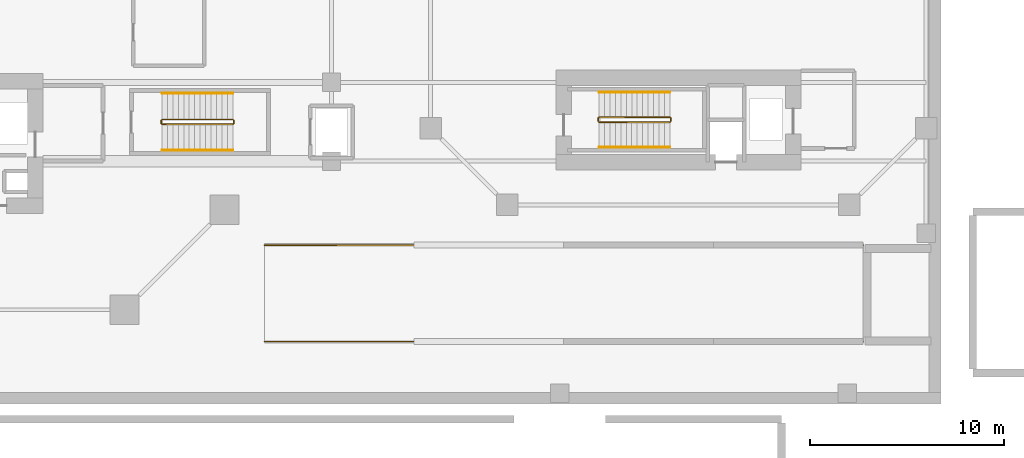
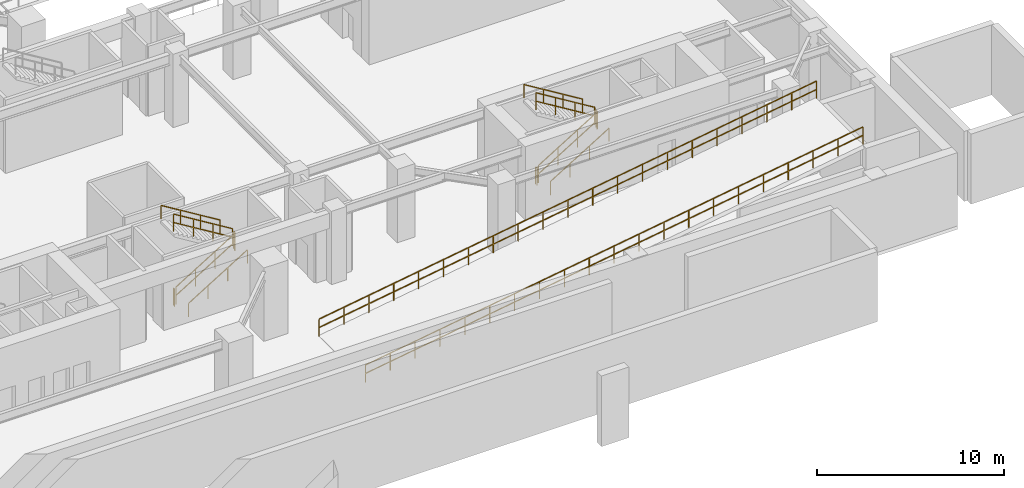
# One storey, part 8 of 10: 14 railings.
"""IFC4 building model written with IfcOpenShell, lengths in metres."""

import ifcopenshell
import ifcopenshell.guid

model = None  # the IFC model being written
_history = None  # IfcOwnerHistory: only IFC2X3 demands one
_inside = {}  # id of a spatial element -> (the spatial element, [elements in it])
_under = {}  # id of a project, library or spatial element -> (it, [spatial elements below it])
_declared = {}  # id of a project -> (the project, [libraries it declares])
_typed = {}  # id of a type object -> (the type object, [elements of that type])
_made_of = {}  # id of a material, layer set ... -> (it, [elements and type objects made of it])


def new_model(schema):
    """Start an empty IFC model of exactly this schema.

    Asked for "IFC4X3", IfcOpenShell would pick the latest addendum, in which some entities
    have other attributes; the version numbers below select the first issue.
    IFC2X3 requires an IfcOwnerHistory on every rooted entity: one is made here for all.
    """
    global model, _history
    if schema == "IFC4X3":
        model = ifcopenshell.file(schema_version=(4, 3, 0, 0))
    else:
        model = ifcopenshell.file(schema=schema)
    _inside.clear()
    _under.clear()
    _declared.clear()
    _typed.clear()
    _made_of.clear()
    _history = None
    if model.schema == "IFC2X3":
        org = make("IfcOrganization", Name="unknown")
        user = make(
            "IfcPersonAndOrganization",
            ThePerson=make("IfcPerson", FamilyName="unknown"),
            TheOrganization=org,
        )
        app = make(
            "IfcApplication",
            ApplicationDeveloper=org,
            Version="unknown",
            ApplicationFullName="unknown",
            ApplicationIdentifier="unknown",
        )
        _history = make(
            "IfcOwnerHistory",
            OwningUser=user,
            OwningApplication=app,
            ChangeAction="ADDED",
            CreationDate=0,
        )
    return model


def make(cls, **values):
    """One entity of the class cls with the attributes given. An attribute that is None is left unset."""
    return model.create_entity(
        cls, **{name: value for name, value in values.items() if value is not None}
    )


def rooted(cls, **values):
    """An entity with a GlobalId (a new one), such as an element, a storey or a relation."""
    return make(cls, GlobalId=ifcopenshell.guid.new(), OwnerHistory=_history, **values)


def si_unit(unit_type, name, prefix=None):
    """IfcSIUnit, for example si_unit("LENGTHUNIT", "METRE", prefix="MILLI")."""
    return make("IfcSIUnit", UnitType=unit_type, Prefix=prefix, Name=name)


def assignment(units):
    """IfcUnitAssignment: the units of a project."""
    return None if units is None else make("IfcUnitAssignment", Units=units)


def point(xyz):
    """IfcCartesianPoint."""
    return None if xyz is None else make("IfcCartesianPoint", Coordinates=xyz)


def direction(xyz):
    """IfcDirection."""
    return None if xyz is None else make("IfcDirection", DirectionRatios=xyz)


def frame(location, z_axis=None, x_axis=None):
    """IfcAxis2Placement3D, a coordinate frame: its origin and axes. An axis left out is left unset."""
    return make(
        "IfcAxis2Placement3D",
        Location=point(location),
        Axis=direction(z_axis),
        RefDirection=direction(x_axis),
    )


def frame_2d(location, x_axis=None):
    """IfcAxis2Placement2D, a coordinate frame in the plane: its origin and x axis."""
    return make(
        "IfcAxis2Placement2D", Location=point(location), RefDirection=direction(x_axis)
    )


def origin():
    """The frame at (0, 0, 0) with its axes left unset."""
    return frame((0.0, 0.0, 0.0))


def origin_2d():
    """The frame at (0, 0) in the plane with its x axis left unset."""
    return frame_2d((0.0, 0.0))


def place(relative_to, where):
    """IfcLocalPlacement: puts the frame where relative to a parent placement (None: the world)."""
    return make(
        "IfcLocalPlacement", PlacementRelTo=relative_to, RelativePlacement=where
    )


def context(
    kind, dimensions, precision=None, world=None, true_north=None, identifier=None
):
    """IfcGeometricRepresentationContext, for example the 3D "Model" context."""
    return make(
        "IfcGeometricRepresentationContext",
        ContextIdentifier=identifier,
        ContextType=kind,
        CoordinateSpaceDimension=dimensions,
        Precision=precision,
        WorldCoordinateSystem=world,
        TrueNorth=true_north,
    )


def subcontext(parent, identifier, kind, view, scale=None):
    """IfcGeometricRepresentationSubContext, for example "Body" below "Model"."""
    return make(
        "IfcGeometricRepresentationSubContext",
        ContextIdentifier=identifier,
        ContextType=kind,
        ParentContext=parent,
        TargetScale=scale,
        TargetView=view,
    )


def project(units=None, contexts=None):
    """IfcProject with its units and contexts."""
    return rooted(
        "IfcProject",
        Name="project",
        RepresentationContexts=contexts,
        UnitsInContext=assignment(units),
    )


def spatial(cls, under=None, at=None, **own):
    """A site, building, storey or space (cls), placed at a placement, below another one or the project."""
    s = rooted(cls, ObjectPlacement=at, **own)
    if under is not None:
        _under.setdefault(under.id(), (under, []))[1].append(s)
    return s


def profile(cls, at=None, kind="AREA", **sizes):
    """A parametric profile (cls). Its sizes go by their IFC names, for example OverallWidth=200.0."""
    return make(cls, ProfileType=kind, Position=at, **sizes)


def rectangle(**sizes):
    """IfcRectangleProfileDef."""
    return profile("IfcRectangleProfileDef", **sizes)


def extrude(swept, where, along, depth):
    """IfcExtrudedAreaSolid: the profile swept, set in the frame where, extruded along a direction by depth."""
    return make(
        "IfcExtrudedAreaSolid",
        SweptArea=swept,
        Position=where,
        ExtrudedDirection=direction(along),
        Depth=depth,
    )


def shape(context_of_items, identifier, shape_type, items):
    """IfcShapeRepresentation: the items that make up one representation, for example the "Body"."""
    return make(
        "IfcShapeRepresentation",
        ContextOfItems=context_of_items,
        RepresentationIdentifier=identifier,
        RepresentationType=shape_type,
        Items=items,
    )


def material(Name=None, Category=None):
    """IfcMaterial."""
    return make("IfcMaterial", Name=Name, Category=Category)


def made_of(thing, what):
    """Note that an element or type object is made of a material, layer set ...; save() writes the relation."""
    if what is not None:
        _made_of.setdefault(what.id(), (what, []))[1].append(thing)
    return thing


def type_object(cls, material=None, **own):
    """A type object (cls), such as IfcWallType, which elements share."""
    return made_of(rooted(cls, **own), material)


def element(
    cls,
    number,
    at=None,
    inside=None,
    cuts=None,
    type_object=None,
    material=None,
    context=None,
    identifier="Body",
    shape_type=None,
    held_by="IfcProductDefinitionShape",
    body=None,
    shapes=None,
    **own,
):
    """One element of the class cls, such as IfcWall. Its Tag is "e" and its number.

    at: its placement. inside: the storey or other place that contains it. cuts: it is an
    opening in that element (IfcRelVoidsElement). A single representation is given by context,
    identifier, shape_type and body (its items); several are given by shapes. held_by: the class
    of the entity that holds the representations. save() writes the other relations.
    """
    e = rooted(cls, Tag="e%d" % number, ObjectPlacement=at, **own)
    if body is not None:
        shapes = [shape(context, identifier, shape_type, body)]
    if shapes is not None:
        e.Representation = make(held_by, Representations=shapes)
    if inside is not None:
        _inside.setdefault(inside.id(), (inside, []))[1].append(e)
    if cuts is not None:
        rooted(
            "IfcRelVoidsElement", RelatingBuildingElement=cuts, RelatedOpeningElement=e
        )
    if type_object is not None:
        _typed.setdefault(type_object.id(), (type_object, []))[1].append(e)
    return made_of(e, material)


def aggregate(whole, parts):
    """IfcRelAggregates: a whole, such as a stair, and the parts it consists of."""
    return rooted("IfcRelAggregates", RelatingObject=whole, RelatedObjects=parts)


def save(model, path):
    """Write the relations noted so far, then the file.

    IfcRelAggregates (storeys below a building ...), IfcRelContainedInSpatialStructure (elements
    in a storey), IfcRelDefinesByType, IfcRelAssociatesMaterial and IfcRelDeclares: one each for
    every whole, place, type object, material and project.
    """
    for whole, parts in _under.values():
        aggregate(whole, parts)
    for where, things in _inside.values():
        rooted(
            "IfcRelContainedInSpatialStructure",
            RelatedElements=things,
            RelatingStructure=where,
        )
    for kind, things in _typed.values():
        rooted("IfcRelDefinesByType", RelatedObjects=things, RelatingType=kind)
    for what, things in _made_of.values():
        rooted("IfcRelAssociatesMaterial", RelatedObjects=things, RelatingMaterial=what)
    for by, libraries in _declared.values():
        rooted("IfcRelDeclares", RelatingContext=by, RelatedDefinitions=libraries)
    model.write(path)


model = new_model("IFC4")

# Units and contexts
model_context = context("Model", 3, precision=1e-05, world=origin(), true_north=direction((0.0, 1.0)))
body_context = subcontext(model_context, "Body", "Model", "MODEL_VIEW")
ifc_project = project(units=[si_unit("LENGTHUNIT", "METRE"), si_unit("AREAUNIT", "SQUARE_METRE"), si_unit("VOLUMEUNIT", "CUBIC_METRE"), si_unit("PLANEANGLEUNIT", "RADIAN"), si_unit("MASSUNIT", "GRAM", prefix="KILO"), si_unit("THERMODYNAMICTEMPERATUREUNIT", "KELVIN"), si_unit("POWERUNIT", "WATT")], contexts=[model_context])

# Site, building, storey
site_placement = place(None, origin())
site = spatial("IfcSite", under=ifc_project, at=site_placement, CompositionType="ELEMENT")
building_placement = place(site_placement, origin())
building = spatial("IfcBuilding", under=site, at=building_placement, Name="Qiaomeng Ring Towers", CompositionType="ELEMENT")
storey_placement = place(building_placement, frame((0.0, 0.0, -4.800048828125)))
storey = spatial("IfcBuildingStorey", under=building, at=storey_placement, Name="B1", CompositionType="ELEMENT", Elevation=-4.800048828125)

# Railings
ifc_material_1 = material(Name="Galvanised steel", Category="steel")
railing_type_1 = type_object("IfcRailingType", Name="ARC-RL-GUARD", PredefinedType="GUARDRAIL", material=ifc_material_1)
railing_1_placement = place(storey_placement, frame((56.419921875, 14.510009765625, 0.17138671875)))
element("IfcRailing", 1, at=railing_1_placement, inside=storey, type_object=railing_type_1, Name="B1 ST6 stair guard 1", PredefinedType="GUARDRAIL", context=body_context, shape_type="SweptSolid", body=[
    extrude(rectangle(XDim=0.048095703125, YDim=0.048095703125, at=origin_2d()), frame((0.0, 0.0, 1.1259765625), z_axis=(0.852840387347, 0.0, 0.522171689878), x_axis=(0.0, 1.0, 0.0)), (0.0, 0.0, 1.0), 4.268310546875),
    extrude(rectangle(XDim=0.048095703125, YDim=0.048095703125, at=origin_2d()), frame((0.0, 0.0, 0.574951171875), z_axis=(0.852840387347, 0.0, 0.522171689878), x_axis=(0.0, 1.0, 0.0)), (0.0, 0.0, 1.0), 4.268310546875),
    extrude(rectangle(XDim=0.0419921875, YDim=0.0419921875, at=origin_2d()), origin(), (0.0, 0.0, 1.0), 1.101806640625),
    extrude(rectangle(XDim=0.0419921875, YDim=0.0419921875, at=origin_2d()), frame((1.21337890625, 0.0, 0.742919921875)), (0.0, 0.0, 1.0), 1.101806640625),
    extrude(rectangle(XDim=0.0419921875, YDim=0.0419921875, at=origin_2d()), frame((2.4267578125, 0.0, 1.48583984375)), (0.0, 0.0, 1.0), 1.101806640625),
    extrude(rectangle(XDim=0.0419921875, YDim=0.0419921875, at=origin_2d()), frame((3.64013671875, 0.0, 2.228759765625)), (0.0, 0.0, 1.0), 1.101806640625),
])
railing_2_placement = place(storey_placement, frame((60.110107421875, 14.56005859375, 2.400146484375)))
element("IfcRailing", 2, at=railing_2_placement, inside=storey, type_object=railing_type_1, Name="B1 ST6 stair guard 2", PredefinedType="GUARDRAIL", context=body_context, shape_type="SweptSolid", body=[
    extrude(rectangle(XDim=0.048095703125, YDim=0.048095703125, at=origin_2d()), frame((0.0, 0.0, 1.1259765625), z_axis=(0.0, 1.0, 0.0), x_axis=(-1.0, 0.0, 0.0)), (0.0, 0.0, 1.0), 0.139892578125),
    extrude(rectangle(XDim=0.048095703125, YDim=0.048095703125, at=origin_2d()), frame((0.0, 0.0, 0.574951171875), z_axis=(0.0, 1.0, 0.0), x_axis=(-1.0, 0.0, 0.0)), (0.0, 0.0, 1.0), 0.139892578125),
    extrude(rectangle(XDim=0.0419921875, YDim=0.0419921875, at=origin_2d()), origin(), (0.0, 0.0, 1.0), 1.101806640625),
    extrude(rectangle(XDim=0.0419921875, YDim=0.0419921875, at=origin_2d()), frame((0.0, 0.139892578125, 0.0)), (0.0, 0.0, 1.0), 1.101806640625),
])
railing_3_placement = place(storey_placement, frame((60.06005859375, 14.75, 2.571533203125)))
element("IfcRailing", 3, at=railing_3_placement, inside=storey, type_object=railing_type_1, Name="B1 ST6 stair guard 3", PredefinedType="GUARDRAIL", context=body_context, shape_type="SweptSolid", body=[
    extrude(rectangle(XDim=0.048095703125, YDim=0.048095703125, at=origin_2d()), frame((0.0, 0.0, 1.1259765625), z_axis=(-0.852865859571, 0.0, 0.52213008492), x_axis=(0.0, -1.0, 0.0)), (0.0, 0.0, 1.0), 4.26806640625),
    extrude(rectangle(XDim=0.048095703125, YDim=0.048095703125, at=origin_2d()), frame((0.0, 0.0, 0.574951171875), z_axis=(-0.852865859571, 0.0, 0.52213008492), x_axis=(0.0, -1.0, 0.0)), (0.0, 0.0, 1.0), 4.26806640625),
    extrude(rectangle(XDim=0.0419921875, YDim=0.0419921875, at=origin_2d()), origin(), (0.0, 0.0, 1.0), 1.101806640625),
    extrude(rectangle(XDim=0.0419921875, YDim=0.0419921875, at=origin_2d()), frame((-1.21337890625, 0.0, 0.742919921875)), (0.0, 0.0, 1.0), 1.101806640625),
    extrude(rectangle(XDim=0.0419921875, YDim=0.0419921875, at=origin_2d()), frame((-2.4267578125, 0.0, 1.485595703125)), (0.0, 0.0, 1.0), 1.101806640625),
    extrude(rectangle(XDim=0.0419921875, YDim=0.0419921875, at=origin_2d()), frame((-3.64013671875, 0.0, 2.228515625)), (0.0, 0.0, 1.0), 1.101806640625),
])
railing_4_placement = place(storey_placement, frame((56.3701171875, 14.56005859375, 0.0)))
element("IfcRailing", 4, at=railing_4_placement, inside=storey, type_object=railing_type_1, Name="B1 ST6 stair guard 4", PredefinedType="GUARDRAIL", context=body_context, shape_type="SweptSolid", body=[
    extrude(rectangle(XDim=0.048095703125, YDim=0.048095703125, at=origin_2d()), frame((0.0, 0.0, 1.1259765625), z_axis=(0.0, 1.0, 0.0), x_axis=(-1.0, 0.0, 0.0)), (0.0, 0.0, 1.0), 0.139892578125),
    extrude(rectangle(XDim=0.048095703125, YDim=0.048095703125, at=origin_2d()), frame((0.0, 0.0, 0.574951171875), z_axis=(0.0, 1.0, 0.0), x_axis=(-1.0, 0.0, 0.0)), (0.0, 0.0, 1.0), 0.139892578125),
    extrude(rectangle(XDim=0.0419921875, YDim=0.0419921875, at=origin_2d()), origin(), (0.0, 0.0, 1.0), 1.101806640625),
    extrude(rectangle(XDim=0.0419921875, YDim=0.0419921875, at=origin_2d()), frame((0.0, 0.139892578125, 0.0)), (0.0, 0.0, 1.0), 1.101806640625),
])
railing_5_placement = place(storey_placement, frame((33.929931640625, 14.39990234375, 0.17138671875)))
element("IfcRailing", 5, at=railing_5_placement, inside=storey, type_object=railing_type_1, Name="B1 ST8 stair guard 1", PredefinedType="GUARDRAIL", context=body_context, shape_type="SweptSolid", body=[
    extrude(rectangle(XDim=0.048095703125, YDim=0.048095703125, at=origin_2d()), frame((0.0, 0.0, 1.1259765625), z_axis=(0.852840387347, 0.0, 0.522171689878), x_axis=(0.0, 1.0, 0.0)), (0.0, 0.0, 1.0), 4.268310546875),
    extrude(rectangle(XDim=0.048095703125, YDim=0.048095703125, at=origin_2d()), frame((0.0, 0.0, 0.574951171875), z_axis=(0.852840387347, 0.0, 0.522171689878), x_axis=(0.0, 1.0, 0.0)), (0.0, 0.0, 1.0), 4.268310546875),
    extrude(rectangle(XDim=0.0419921875, YDim=0.0419921875, at=origin_2d()), origin(), (0.0, 0.0, 1.0), 1.101806640625),
    extrude(rectangle(XDim=0.0419921875, YDim=0.0419921875, at=origin_2d()), frame((1.21337890625, 0.0, 0.742919921875)), (0.0, 0.0, 1.0), 1.101806640625),
    extrude(rectangle(XDim=0.0419921875, YDim=0.0419921875, at=origin_2d()), frame((2.4267578125, 0.0, 1.48583984375)), (0.0, 0.0, 1.0), 1.101806640625),
    extrude(rectangle(XDim=0.0419921875, YDim=0.0419921875, at=origin_2d()), frame((3.64013671875, 0.0, 2.228759765625)), (0.0, 0.0, 1.0), 1.101806640625),
])
railing_6_placement = place(storey_placement, frame((37.6201171875, 14.449951171875, 2.400146484375)))
element("IfcRailing", 6, at=railing_6_placement, inside=storey, type_object=railing_type_1, Name="B1 ST8 stair guard 2", PredefinedType="GUARDRAIL", context=body_context, shape_type="SweptSolid", body=[
    extrude(rectangle(XDim=0.048095703125, YDim=0.048095703125, at=origin_2d()), frame((0.0, 0.0, 1.1259765625), z_axis=(0.0, 1.0, 0.0), x_axis=(-1.0, 0.0, 0.0)), (0.0, 0.0, 1.0), 0.14013671875),
    extrude(rectangle(XDim=0.048095703125, YDim=0.048095703125, at=origin_2d()), frame((0.0, 0.0, 0.574951171875), z_axis=(0.0, 1.0, 0.0), x_axis=(-1.0, 0.0, 0.0)), (0.0, 0.0, 1.0), 0.14013671875),
    extrude(rectangle(XDim=0.0419921875, YDim=0.0419921875, at=origin_2d()), origin(), (0.0, 0.0, 1.0), 1.101806640625),
    extrude(rectangle(XDim=0.0419921875, YDim=0.0419921875, at=origin_2d()), frame((0.0, 0.14013671875, 0.0)), (0.0, 0.0, 1.0), 1.101806640625),
])
railing_7_placement = place(storey_placement, frame((37.570068359375, 14.639892578125, 2.571533203125)))
element("IfcRailing", 7, at=railing_7_placement, inside=storey, type_object=railing_type_1, Name="B1 ST8 stair guard 3", PredefinedType="GUARDRAIL", context=body_context, shape_type="SweptSolid", body=[
    extrude(rectangle(XDim=0.048095703125, YDim=0.048095703125, at=origin_2d()), frame((0.0, 0.0, 1.1259765625), z_axis=(-0.852865859571, 0.0, 0.52213008492), x_axis=(0.0, -1.0, 0.0)), (0.0, 0.0, 1.0), 4.26806640625),
    extrude(rectangle(XDim=0.048095703125, YDim=0.048095703125, at=origin_2d()), frame((0.0, 0.0, 0.574951171875), z_axis=(-0.852865859571, 0.0, 0.52213008492), x_axis=(0.0, -1.0, 0.0)), (0.0, 0.0, 1.0), 4.26806640625),
    extrude(rectangle(XDim=0.0419921875, YDim=0.0419921875, at=origin_2d()), origin(), (0.0, 0.0, 1.0), 1.101806640625),
    extrude(rectangle(XDim=0.0419921875, YDim=0.0419921875, at=origin_2d()), frame((-1.21337890625, 0.0, 0.742919921875)), (0.0, 0.0, 1.0), 1.101806640625),
    extrude(rectangle(XDim=0.0419921875, YDim=0.0419921875, at=origin_2d()), frame((-2.4267578125, 0.0, 1.485595703125)), (0.0, 0.0, 1.0), 1.101806640625),
    extrude(rectangle(XDim=0.0419921875, YDim=0.0419921875, at=origin_2d()), frame((-3.64013671875, 0.0, 2.228515625)), (0.0, 0.0, 1.0), 1.101806640625),
])
railing_8_placement = place(storey_placement, frame((33.8798828125, 14.449951171875, 0.0)))
element("IfcRailing", 8, at=railing_8_placement, inside=storey, type_object=railing_type_1, Name="B1 ST8 stair guard 4", PredefinedType="GUARDRAIL", context=body_context, shape_type="SweptSolid", body=[
    extrude(rectangle(XDim=0.048095703125, YDim=0.048095703125, at=origin_2d()), frame((0.0, 0.0, 1.1259765625), z_axis=(0.0, 1.0, 0.0), x_axis=(-1.0, 0.0, 0.0)), (0.0, 0.0, 1.0), 0.14013671875),
    extrude(rectangle(XDim=0.048095703125, YDim=0.048095703125, at=origin_2d()), frame((0.0, 0.0, 0.574951171875), z_axis=(0.0, 1.0, 0.0), x_axis=(-1.0, 0.0, 0.0)), (0.0, 0.0, 1.0), 0.14013671875),
    extrude(rectangle(XDim=0.0419921875, YDim=0.0419921875, at=origin_2d()), origin(), (0.0, 0.0, 1.0), 1.101806640625),
    extrude(rectangle(XDim=0.0419921875, YDim=0.0419921875, at=origin_2d()), frame((0.0, 0.14013671875, 0.0)), (0.0, 0.0, 1.0), 1.101806640625),
])
railing_9_placement = place(storey_placement, frame((39.199951171875, 3.219970703125, 0.0)))
element("IfcRailing", 9, at=railing_9_placement, inside=storey, type_object=railing_type_1, Name="B1 Vehicle Ramp R1 Sloped Flight Guard S", PredefinedType="GUARDRAIL", context=body_context, shape_type="SweptSolid", body=[
    extrude(rectangle(XDim=0.048095703125, YDim=0.048095703125, at=origin_2d()), frame((0.0, 0.0, 1.1259765625), z_axis=(0.988072918596, 0.0, 0.153986712212), x_axis=(0.0, 1.0, 0.0)), (0.0, 0.0, 1.0), 31.171875),
    extrude(rectangle(XDim=0.048095703125, YDim=0.048095703125, at=origin_2d()), frame((0.0, 0.0, 0.574951171875), z_axis=(0.988072918596, 0.0, 0.153986712212), x_axis=(0.0, 1.0, 0.0)), (0.0, 0.0, 1.0), 31.171875),
    extrude(rectangle(XDim=0.0419921875, YDim=0.0419921875, at=origin_2d()), origin(), (0.0, 0.0, 1.0), 1.101806640625),
    extrude(rectangle(XDim=0.0419921875, YDim=0.0419921875, at=origin_2d()), frame((1.5400390625, 0.0, 0.239990234375)), (0.0, 0.0, 1.0), 1.101806640625),
    extrude(rectangle(XDim=0.0419921875, YDim=0.0419921875, at=origin_2d()), frame((3.080078125, 0.0, 0.47998046875)), (0.0, 0.0, 1.0), 1.101806640625),
    extrude(rectangle(XDim=0.0419921875, YDim=0.0419921875, at=origin_2d()), frame((4.6201171875, 0.0, 0.719970703125)), (0.0, 0.0, 1.0), 1.101806640625),
    extrude(rectangle(XDim=0.0419921875, YDim=0.0419921875, at=origin_2d()), frame((6.159912109375, 0.0, 0.9599609375)), (0.0, 0.0, 1.0), 1.101806640625),
    extrude(rectangle(XDim=0.0419921875, YDim=0.0419921875, at=origin_2d()), frame((7.699951171875, 0.0, 1.199951171875)), (0.0, 0.0, 1.0), 1.101806640625),
    extrude(rectangle(XDim=0.0419921875, YDim=0.0419921875, at=origin_2d()), frame((9.239990234375, 0.0, 1.43994140625)), (0.0, 0.0, 1.0), 1.101806640625),
    extrude(rectangle(XDim=0.0419921875, YDim=0.0419921875, at=origin_2d()), frame((10.780029296875, 0.0, 1.679931640625)), (0.0, 0.0, 1.0), 1.101806640625),
    extrude(rectangle(XDim=0.0419921875, YDim=0.0419921875, at=origin_2d()), frame((12.320068359375, 0.0, 1.919921875)), (0.0, 0.0, 1.0), 1.101806640625),
    extrude(rectangle(XDim=0.0419921875, YDim=0.0419921875, at=origin_2d()), frame((13.860107421875, 0.0, 2.159912109375)), (0.0, 0.0, 1.0), 1.101806640625),
    extrude(rectangle(XDim=0.0419921875, YDim=0.0419921875, at=origin_2d()), frame((15.39990234375, 0.0, 2.39990234375)), (0.0, 0.0, 1.0), 1.101806640625),
    extrude(rectangle(XDim=0.0419921875, YDim=0.0419921875, at=origin_2d()), frame((16.93994140625, 0.0, 2.64013671875)), (0.0, 0.0, 1.0), 1.101806640625),
    extrude(rectangle(XDim=0.0419921875, YDim=0.0419921875, at=origin_2d()), frame((18.47998046875, 0.0, 2.880126953125)), (0.0, 0.0, 1.0), 1.101806640625),
    extrude(rectangle(XDim=0.0419921875, YDim=0.0419921875, at=origin_2d()), frame((20.02001953125, 0.0, 3.1201171875)), (0.0, 0.0, 1.0), 1.101806640625),
    extrude(rectangle(XDim=0.0419921875, YDim=0.0419921875, at=origin_2d()), frame((21.56005859375, 0.0, 3.360107421875)), (0.0, 0.0, 1.0), 1.101806640625),
    extrude(rectangle(XDim=0.0419921875, YDim=0.0419921875, at=origin_2d()), frame((23.10009765625, 0.0, 3.60009765625)), (0.0, 0.0, 1.0), 1.101806640625),
    extrude(rectangle(XDim=0.0419921875, YDim=0.0419921875, at=origin_2d()), frame((24.64013671875, 0.0, 3.840087890625)), (0.0, 0.0, 1.0), 1.101806640625),
    extrude(rectangle(XDim=0.0419921875, YDim=0.0419921875, at=origin_2d()), frame((26.179931640625, 0.0, 4.080078125)), (0.0, 0.0, 1.0), 1.101806640625),
    extrude(rectangle(XDim=0.0419921875, YDim=0.0419921875, at=origin_2d()), frame((27.719970703125, 0.0, 4.320068359375)), (0.0, 0.0, 1.0), 1.101806640625),
    extrude(rectangle(XDim=0.0419921875, YDim=0.0419921875, at=origin_2d()), frame((29.260009765625, 0.0, 4.56005859375)), (0.0, 0.0, 1.0), 1.101806640625),
    extrude(rectangle(XDim=0.0419921875, YDim=0.0419921875, at=origin_2d()), frame((30.800048828125, 0.0, 4.800048828125)), (0.0, 0.0, 1.0), 1.101806640625),
])
railing_10_placement = place(storey_placement, frame((39.199951171875, 8.179931640625, 0.0)))
element("IfcRailing", 10, at=railing_10_placement, inside=storey, type_object=railing_type_1, Name="B1 Vehicle Ramp R1 Sloped Flight Guard N", PredefinedType="GUARDRAIL", context=body_context, shape_type="SweptSolid", body=[
    extrude(rectangle(XDim=0.048095703125, YDim=0.048095703125, at=origin_2d()), frame((0.0, 0.0, 1.1259765625), z_axis=(0.988072918596, 0.0, 0.153986712212), x_axis=(0.0, 1.0, 0.0)), (0.0, 0.0, 1.0), 31.171875),
    extrude(rectangle(XDim=0.048095703125, YDim=0.048095703125, at=origin_2d()), frame((0.0, 0.0, 0.574951171875), z_axis=(0.988072918596, 0.0, 0.153986712212), x_axis=(0.0, 1.0, 0.0)), (0.0, 0.0, 1.0), 31.171875),
    extrude(rectangle(XDim=0.0419921875, YDim=0.0419921875, at=origin_2d()), origin(), (0.0, 0.0, 1.0), 1.101806640625),
    extrude(rectangle(XDim=0.0419921875, YDim=0.0419921875, at=origin_2d()), frame((1.5400390625, 0.0, 0.239990234375)), (0.0, 0.0, 1.0), 1.101806640625),
    extrude(rectangle(XDim=0.0419921875, YDim=0.0419921875, at=origin_2d()), frame((3.080078125, 0.0, 0.47998046875)), (0.0, 0.0, 1.0), 1.101806640625),
    extrude(rectangle(XDim=0.0419921875, YDim=0.0419921875, at=origin_2d()), frame((4.6201171875, 0.0, 0.719970703125)), (0.0, 0.0, 1.0), 1.101806640625),
    extrude(rectangle(XDim=0.0419921875, YDim=0.0419921875, at=origin_2d()), frame((6.159912109375, 0.0, 0.9599609375)), (0.0, 0.0, 1.0), 1.101806640625),
    extrude(rectangle(XDim=0.0419921875, YDim=0.0419921875, at=origin_2d()), frame((7.699951171875, 0.0, 1.199951171875)), (0.0, 0.0, 1.0), 1.101806640625),
    extrude(rectangle(XDim=0.0419921875, YDim=0.0419921875, at=origin_2d()), frame((9.239990234375, 0.0, 1.43994140625)), (0.0, 0.0, 1.0), 1.101806640625),
    extrude(rectangle(XDim=0.0419921875, YDim=0.0419921875, at=origin_2d()), frame((10.780029296875, 0.0, 1.679931640625)), (0.0, 0.0, 1.0), 1.101806640625),
    extrude(rectangle(XDim=0.0419921875, YDim=0.0419921875, at=origin_2d()), frame((12.320068359375, 0.0, 1.919921875)), (0.0, 0.0, 1.0), 1.101806640625),
    extrude(rectangle(XDim=0.0419921875, YDim=0.0419921875, at=origin_2d()), frame((13.860107421875, 0.0, 2.159912109375)), (0.0, 0.0, 1.0), 1.101806640625),
    extrude(rectangle(XDim=0.0419921875, YDim=0.0419921875, at=origin_2d()), frame((15.39990234375, 0.0, 2.39990234375)), (0.0, 0.0, 1.0), 1.101806640625),
    extrude(rectangle(XDim=0.0419921875, YDim=0.0419921875, at=origin_2d()), frame((16.93994140625, 0.0, 2.64013671875)), (0.0, 0.0, 1.0), 1.101806640625),
    extrude(rectangle(XDim=0.0419921875, YDim=0.0419921875, at=origin_2d()), frame((18.47998046875, 0.0, 2.880126953125)), (0.0, 0.0, 1.0), 1.101806640625),
    extrude(rectangle(XDim=0.0419921875, YDim=0.0419921875, at=origin_2d()), frame((20.02001953125, 0.0, 3.1201171875)), (0.0, 0.0, 1.0), 1.101806640625),
    extrude(rectangle(XDim=0.0419921875, YDim=0.0419921875, at=origin_2d()), frame((21.56005859375, 0.0, 3.360107421875)), (0.0, 0.0, 1.0), 1.101806640625),
    extrude(rectangle(XDim=0.0419921875, YDim=0.0419921875, at=origin_2d()), frame((23.10009765625, 0.0, 3.60009765625)), (0.0, 0.0, 1.0), 1.101806640625),
    extrude(rectangle(XDim=0.0419921875, YDim=0.0419921875, at=origin_2d()), frame((24.64013671875, 0.0, 3.840087890625)), (0.0, 0.0, 1.0), 1.101806640625),
    extrude(rectangle(XDim=0.0419921875, YDim=0.0419921875, at=origin_2d()), frame((26.179931640625, 0.0, 4.080078125)), (0.0, 0.0, 1.0), 1.101806640625),
    extrude(rectangle(XDim=0.0419921875, YDim=0.0419921875, at=origin_2d()), frame((27.719970703125, 0.0, 4.320068359375)), (0.0, 0.0, 1.0), 1.101806640625),
    extrude(rectangle(XDim=0.0419921875, YDim=0.0419921875, at=origin_2d()), frame((29.260009765625, 0.0, 4.56005859375)), (0.0, 0.0, 1.0), 1.101806640625),
    extrude(rectangle(XDim=0.0419921875, YDim=0.0419921875, at=origin_2d()), frame((30.800048828125, 0.0, 4.800048828125)), (0.0, 0.0, 1.0), 1.101806640625),
])
ifc_material_2 = material(Name="Stainless steel 316", Category="steel")
railing_type_2 = type_object("IfcRailingType", Name="ARC-RL-HAND", PredefinedType="HANDRAIL", material=ifc_material_2)
railing_11_placement = place(storey_placement, frame((56.419921875, 13.2099609375, 0.17138671875)))
element("IfcRailing", 11, at=railing_11_placement, inside=storey, type_object=railing_type_2, Name="B1 ST6 stair handrail 1", PredefinedType="HANDRAIL", context=body_context, shape_type="SweptSolid", body=[
    extrude(rectangle(XDim=0.048095703125, YDim=0.048095703125, at=origin_2d()), frame((0.0, 0.0, 0.8759765625), z_axis=(0.852840387347, 0.0, 0.522171689878), x_axis=(0.0, 1.0, 0.0)), (0.0, 0.0, 1.0), 4.268310546875),
    extrude(rectangle(XDim=0.0419921875, YDim=0.0419921875, at=origin_2d()), origin(), (0.0, 0.0, 1.0), 0.851806640625),
    extrude(rectangle(XDim=0.0419921875, YDim=0.0419921875, at=origin_2d()), frame((1.21337890625, 0.0, 0.742919921875)), (0.0, 0.0, 1.0), 0.851806640625),
    extrude(rectangle(XDim=0.0419921875, YDim=0.0419921875, at=origin_2d()), frame((2.4267578125, 0.0, 1.48583984375)), (0.0, 0.0, 1.0), 0.851806640625),
    extrude(rectangle(XDim=0.0419921875, YDim=0.0419921875, at=origin_2d()), frame((3.64013671875, 0.0, 2.228759765625)), (0.0, 0.0, 1.0), 0.851806640625),
])
railing_12_placement = place(storey_placement, frame((60.06005859375, 16.050048828125, 2.571533203125)))
element("IfcRailing", 12, at=railing_12_placement, inside=storey, type_object=railing_type_2, Name="B1 ST6 stair handrail 2", PredefinedType="HANDRAIL", context=body_context, shape_type="SweptSolid", body=[
    extrude(rectangle(XDim=0.048095703125, YDim=0.048095703125, at=origin_2d()), frame((0.0, 0.0, 0.8759765625), z_axis=(-0.852865859571, 0.0, 0.52213008492), x_axis=(0.0, -1.0, 0.0)), (0.0, 0.0, 1.0), 4.26806640625),
    extrude(rectangle(XDim=0.0419921875, YDim=0.0419921875, at=origin_2d()), origin(), (0.0, 0.0, 1.0), 0.851806640625),
    extrude(rectangle(XDim=0.0419921875, YDim=0.0419921875, at=origin_2d()), frame((-1.21337890625, 0.0, 0.742919921875)), (0.0, 0.0, 1.0), 0.851806640625),
    extrude(rectangle(XDim=0.0419921875, YDim=0.0419921875, at=origin_2d()), frame((-2.4267578125, 0.0, 1.485595703125)), (0.0, 0.0, 1.0), 0.851806640625),
    extrude(rectangle(XDim=0.0419921875, YDim=0.0419921875, at=origin_2d()), frame((-3.64013671875, 0.0, 2.228515625)), (0.0, 0.0, 1.0), 0.851806640625),
])
railing_13_placement = place(storey_placement, frame((33.929931640625, 13.050048828125, 0.17138671875)))
element("IfcRailing", 13, at=railing_13_placement, inside=storey, type_object=railing_type_2, Name="B1 ST8 stair handrail 1", PredefinedType="HANDRAIL", context=body_context, shape_type="SweptSolid", body=[
    extrude(rectangle(XDim=0.048095703125, YDim=0.048095703125, at=origin_2d()), frame((0.0, 0.0, 0.8759765625), z_axis=(0.852840387347, 0.0, 0.522171689878), x_axis=(0.0, 1.0, 0.0)), (0.0, 0.0, 1.0), 4.268310546875),
    extrude(rectangle(XDim=0.0419921875, YDim=0.0419921875, at=origin_2d()), origin(), (0.0, 0.0, 1.0), 0.851806640625),
    extrude(rectangle(XDim=0.0419921875, YDim=0.0419921875, at=origin_2d()), frame((1.21337890625, 0.0, 0.742919921875)), (0.0, 0.0, 1.0), 0.851806640625),
    extrude(rectangle(XDim=0.0419921875, YDim=0.0419921875, at=origin_2d()), frame((2.4267578125, 0.0, 1.48583984375)), (0.0, 0.0, 1.0), 0.851806640625),
    extrude(rectangle(XDim=0.0419921875, YDim=0.0419921875, at=origin_2d()), frame((3.64013671875, 0.0, 2.228759765625)), (0.0, 0.0, 1.0), 0.851806640625),
])
railing_14_placement = place(storey_placement, frame((37.570068359375, 15.989990234375, 2.571533203125)))
element("IfcRailing", 14, at=railing_14_placement, inside=storey, type_object=railing_type_2, Name="B1 ST8 stair handrail 2", PredefinedType="HANDRAIL", context=body_context, shape_type="SweptSolid", body=[
    extrude(rectangle(XDim=0.048095703125, YDim=0.048095703125, at=origin_2d()), frame((0.0, 0.0, 0.8759765625), z_axis=(-0.852865859571, 0.0, 0.52213008492), x_axis=(0.0, -1.0, 0.0)), (0.0, 0.0, 1.0), 4.26806640625),
    extrude(rectangle(XDim=0.0419921875, YDim=0.0419921875, at=origin_2d()), origin(), (0.0, 0.0, 1.0), 0.851806640625),
    extrude(rectangle(XDim=0.0419921875, YDim=0.0419921875, at=origin_2d()), frame((-1.21337890625, 0.0, 0.742919921875)), (0.0, 0.0, 1.0), 0.851806640625),
    extrude(rectangle(XDim=0.0419921875, YDim=0.0419921875, at=origin_2d()), frame((-2.4267578125, 0.0, 1.485595703125)), (0.0, 0.0, 1.0), 0.851806640625),
    extrude(rectangle(XDim=0.0419921875, YDim=0.0419921875, at=origin_2d()), frame((-3.64013671875, 0.0, 2.228515625)), (0.0, 0.0, 1.0), 0.851806640625),
])

save(model, "model.ifc")
